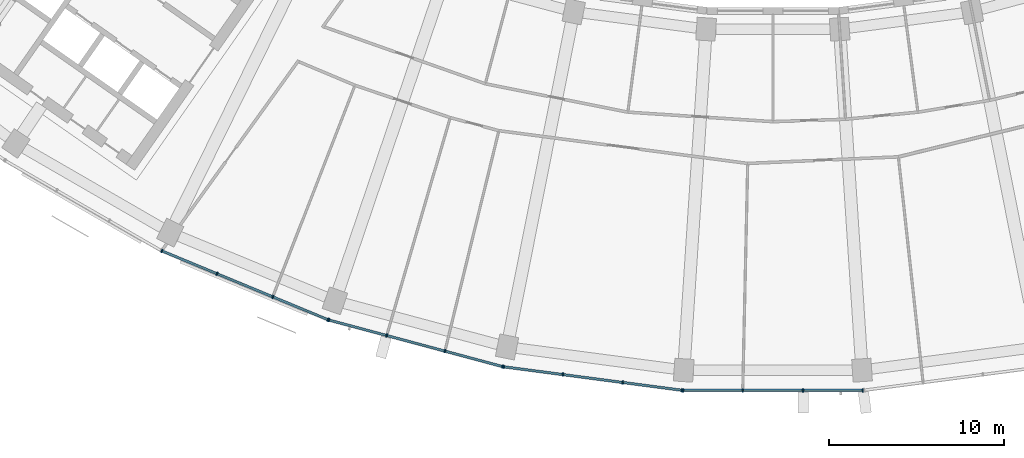
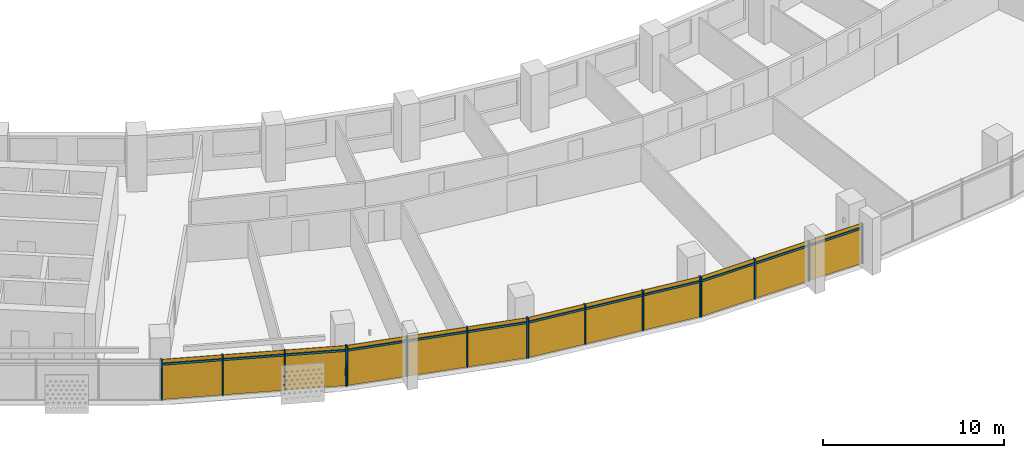
# One storey, part 20 of 26: 28 members, 4 curtain walls.
"""IFC4 building model written with IfcOpenShell, lengths in metres."""

from ifc_helpers import new_model, si_unit, direction, frame, origin, origin_2d, place, context, subcontext, project, spatial, rectangle, extrude, material, material_profile, profile_set, type_object, element, aggregate, save


model = new_model("IFC4")

# Units and contexts
model_context = context("Model", 3, precision=1e-05, world=origin(), true_north=direction((0.0, 1.0)))
body_context = subcontext(model_context, "Body", "Model", "MODEL_VIEW")
ifc_project = project(units=[si_unit("LENGTHUNIT", "METRE"), si_unit("AREAUNIT", "SQUARE_METRE"), si_unit("VOLUMEUNIT", "CUBIC_METRE"), si_unit("PLANEANGLEUNIT", "RADIAN"), si_unit("MASSUNIT", "GRAM", prefix="KILO")], contexts=[model_context])

# Member
ifc_material = material(Name="Aluminium 6063-T6 anodised", Category="aluminium")
ifc_material_profile_1 = material_profile(ifc_material, rectangle(XDim=0.199951171875, YDim=0.070068359375, at=origin_2d()))
ifc_profile_set_1 = profile_set([ifc_material_profile_1], Name="Aluminium 6063-T6 anodised")
member_type_1 = type_object("IfcMemberType", Name="Mullion 70 x 200 aluminium", PredefinedType="MULLION", material=ifc_profile_set_1)
site_placement = place(None, origin())
building_placement = place(site_placement, origin())
storey_placement = place(building_placement, frame((0.0, 0.0, 183.5)))
member_1_placement = place(storey_placement, frame((-34.8701171875, -70.77392578125, 0.0), z_axis=(0.0, 0.0, 1.0), x_axis=(0.382683432365, 0.923879532511, 0.0)))
member_1 = element("IfcMember", 1, at=member_1_placement, type_object=member_type_1, Name="e-cw1-L43-out04/M00", PredefinedType="MULLION", context=body_context, shape_type="SweptSolid", body=[
    extrude(rectangle(XDim=0.199951171875, YDim=0.070068359375, at=origin_2d()), origin(), (0.0, 0.0, 1.0), 2.699951171875),
])

member_2_placement = place(storey_placement, frame((-31.72021484375, -72.078857421875, 0.0), z_axis=(0.0, 0.0, 1.0), x_axis=(0.382683432365, 0.923879532511, 0.0)))
member_2 = element("IfcMember", 2, at=member_2_placement, type_object=member_type_1, Name="e-cw1-L43-out04/M01", PredefinedType="MULLION", context=body_context, shape_type="SweptSolid", body=[
    extrude(rectangle(XDim=0.199951171875, YDim=0.070068359375, at=origin_2d()), origin(), (0.0, 0.0, 1.0), 2.699951171875),
])

member_3_placement = place(storey_placement, frame((-28.537841796875, -73.39697265625, 0.0), z_axis=(0.0, 0.0, 1.0), x_axis=(0.382683432365, 0.923879532511, 0.0)))
member_3 = element("IfcMember", 3, at=member_3_placement, type_object=member_type_1, Name="e-cw1-L43-out04/M02", PredefinedType="MULLION", context=body_context, shape_type="SweptSolid", body=[
    extrude(rectangle(XDim=0.199951171875, YDim=0.070068359375, at=origin_2d()), origin(), (0.0, 0.0, 1.0), 2.699951171875),
])

member_4_placement = place(storey_placement, frame((-25.3876953125, -74.70166015625, 0.0), z_axis=(0.0, 0.0, 1.0), x_axis=(0.382683432365, 0.923879532511, 0.0)))
member_4 = element("IfcMember", 4, at=member_4_placement, type_object=member_type_1, Name="e-cw1-L43-out04/M03", PredefinedType="MULLION", context=body_context, shape_type="SweptSolid", body=[
    extrude(rectangle(XDim=0.199951171875, YDim=0.070068359375, at=origin_2d()), origin(), (0.0, 0.0, 1.0), 2.699951171875),
])

member_5_placement = place(storey_placement, frame((-25.333984375, -74.719970703125, 0.0), z_axis=(0.0, 0.0, 1.0), x_axis=(0.258819045103, 0.965925826289, 0.0)))
member_5 = element("IfcMember", 5, at=member_5_placement, type_object=member_type_1, Name="e-cw1-L43-out05/M00", PredefinedType="MULLION", context=body_context, shape_type="SweptSolid", body=[
    extrude(rectangle(XDim=0.199951171875, YDim=0.070068359375, at=origin_2d()), origin(), (0.0, 0.0, 1.0), 2.699951171875),
])

member_6_placement = place(storey_placement, frame((-22.04052734375, -75.602294921875, 0.0), z_axis=(0.0, 0.0, 1.0), x_axis=(0.258819045103, 0.965925826289, 0.0)))
member_6 = element("IfcMember", 6, at=member_6_placement, type_object=member_type_1, Name="e-cw1-L43-out05/M01", PredefinedType="MULLION", context=body_context, shape_type="SweptSolid", body=[
    extrude(rectangle(XDim=0.199951171875, YDim=0.070068359375, at=origin_2d()), origin(), (0.0, 0.0, 1.0), 2.699951171875),
])

member_7_placement = place(storey_placement, frame((-18.71337890625, -76.493896484375, 0.0), z_axis=(0.0, 0.0, 1.0), x_axis=(0.258819045103, 0.965925826289, 0.0)))
member_7 = element("IfcMember", 7, at=member_7_placement, type_object=member_type_1, Name="e-cw1-L43-out05/M02", PredefinedType="MULLION", context=body_context, shape_type="SweptSolid", body=[
    extrude(rectangle(XDim=0.199951171875, YDim=0.070068359375, at=origin_2d()), origin(), (0.0, 0.0, 1.0), 2.699951171875),
])

member_8_placement = place(storey_placement, frame((-15.420166015625, -77.37646484375, 0.0), z_axis=(0.0, 0.0, 1.0), x_axis=(0.258819045103, 0.965925826289, 0.0)))
member_8 = element("IfcMember", 8, at=member_8_placement, type_object=member_type_1, Name="e-cw1-L43-out05/M03", PredefinedType="MULLION", context=body_context, shape_type="SweptSolid", body=[
    extrude(rectangle(XDim=0.199951171875, YDim=0.070068359375, at=origin_2d()), origin(), (0.0, 0.0, 1.0), 2.699951171875),
])

member_9_placement = place(storey_placement, frame((-15.364501953125, -77.387451171875, 0.0), z_axis=(0.0, 0.0, 1.0), x_axis=(0.13052619222, 0.991444861374, 0.0)))
member_9 = element("IfcMember", 9, at=member_9_placement, type_object=member_type_1, Name="e-cw1-L43-out06/M00", PredefinedType="MULLION", context=body_context, shape_type="SweptSolid", body=[
    extrude(rectangle(XDim=0.199951171875, YDim=0.070068359375, at=origin_2d()), origin(), (0.0, 0.0, 1.0), 2.699951171875),
])

member_10_placement = place(storey_placement, frame((-11.98388671875, -77.83251953125, 0.0), z_axis=(0.0, 0.0, 1.0), x_axis=(0.13052619222, 0.991444861374, 0.0)))
member_10 = element("IfcMember", 10, at=member_10_placement, type_object=member_type_1, Name="e-cw1-L43-out06/M01", PredefinedType="MULLION", context=body_context, shape_type="SweptSolid", body=[
    extrude(rectangle(XDim=0.199951171875, YDim=0.070068359375, at=origin_2d()), origin(), (0.0, 0.0, 1.0), 2.699951171875),
])

member_11_placement = place(storey_placement, frame((-8.56884765625, -78.2822265625, 0.0), z_axis=(0.0, 0.0, 1.0), x_axis=(0.13052619222, 0.991444861374, 0.0)))
member_11 = element("IfcMember", 11, at=member_11_placement, type_object=member_type_1, Name="e-cw1-L43-out06/M02", PredefinedType="MULLION", context=body_context, shape_type="SweptSolid", body=[
    extrude(rectangle(XDim=0.199951171875, YDim=0.070068359375, at=origin_2d()), origin(), (0.0, 0.0, 1.0), 2.699951171875),
])

member_12_placement = place(storey_placement, frame((-5.1884765625, -78.72705078125, 0.0), z_axis=(0.0, 0.0, 1.0), x_axis=(0.13052619222, 0.991444861374, 0.0)))
member_12 = element("IfcMember", 12, at=member_12_placement, type_object=member_type_1, Name="e-cw1-L43-out06/M03", PredefinedType="MULLION", context=body_context, shape_type="SweptSolid", body=[
    extrude(rectangle(XDim=0.199951171875, YDim=0.070068359375, at=origin_2d()), origin(), (0.0, 0.0, 1.0), 2.699951171875),
])

member_13_placement = place(storey_placement, frame((-5.1318359375, -78.73095703125, 0.0), z_axis=(0.0, 0.0, 1.0), x_axis=(0.0, 1.0, 0.0)))
member_13 = element("IfcMember", 13, at=member_13_placement, type_object=member_type_1, Name="e-cw1-L43-out07/M00", PredefinedType="MULLION", context=body_context, shape_type="SweptSolid", body=[
    extrude(rectangle(XDim=0.199951171875, YDim=0.070068359375, at=origin_2d()), origin(), (0.0, 0.0, 1.0), 2.699951171875),
])

member_14_placement = place(storey_placement, frame((-1.72216796875, -78.73095703125, 0.0), z_axis=(0.0, 0.0, 1.0), x_axis=(0.0, 1.0, 0.0)))
member_14 = element("IfcMember", 14, at=member_14_placement, type_object=member_type_1, Name="e-cw1-L43-out07/M01", PredefinedType="MULLION", context=body_context, shape_type="SweptSolid", body=[
    extrude(rectangle(XDim=0.199951171875, YDim=0.070068359375, at=origin_2d()), origin(), (0.0, 0.0, 1.0), 2.699951171875),
])

member_15_placement = place(storey_placement, frame((1.72216796875, -78.73095703125, 0.0), z_axis=(0.0, 0.0, 1.0), x_axis=(0.0, 1.0, 0.0)))
member_15 = element("IfcMember", 15, at=member_15_placement, type_object=member_type_1, Name="e-cw1-L43-out07/M02", PredefinedType="MULLION", context=body_context, shape_type="SweptSolid", body=[
    extrude(rectangle(XDim=0.199951171875, YDim=0.070068359375, at=origin_2d()), origin(), (0.0, 0.0, 1.0), 2.699951171875),
])

member_16_placement = place(storey_placement, frame((5.1318359375, -78.73095703125, 0.0), z_axis=(0.0, 0.0, 1.0), x_axis=(0.0, 1.0, 0.0)))
member_16 = element("IfcMember", 16, at=member_16_placement, type_object=member_type_1, Name="e-cw1-L43-out07/M03", PredefinedType="MULLION", context=body_context, shape_type="SweptSolid", body=[
    extrude(rectangle(XDim=0.199951171875, YDim=0.070068359375, at=origin_2d()), origin(), (0.0, 0.0, 1.0), 2.699951171875),
])

ifc_material_profile_2 = material_profile(ifc_material, rectangle(XDim=0.139892578125, YDim=0.1201171875, at=origin_2d()))
ifc_profile_set_2 = profile_set([ifc_material_profile_2], Name="Aluminium 6063-T6 anodised")
member_type_2 = type_object("IfcMemberType", Name="Transom 120 x 140 aluminium", PredefinedType="USERDEFINED", material=ifc_profile_set_2)
member_17_placement = place(storey_placement, frame((-34.837890625, -70.787353515625, 2.39990234375), z_axis=(0.923875164544, -0.382693977401, 0.0), x_axis=(0.382693977401, 0.923875164544, 0.0)))
member_17 = element("IfcMember", 17, at=member_17_placement, type_object=member_type_2, Name="e-cw1-L43-out04/T00", ObjectType="TRANSOM", PredefinedType="USERDEFINED", context=body_context, shape_type="SweptSolid", body=[
    extrude(rectangle(XDim=0.139892578125, YDim=0.1201171875, at=origin_2d()), origin(), (0.0, 0.0, 1.0), 3.339599609375),
])

member_18_placement = place(storey_placement, frame((-31.687744140625, -72.092041015625, 2.39990234375), z_axis=(0.923866926753, -0.382713863941, 0.0), x_axis=(0.382713863941, 0.923866926753, 0.0)))
member_18 = element("IfcMember", 18, at=member_18_placement, type_object=member_type_2, Name="e-cw1-L43-out04/T01", ObjectType="TRANSOM", PredefinedType="USERDEFINED", context=body_context, shape_type="SweptSolid", body=[
    extrude(rectangle(XDim=0.139892578125, YDim=0.1201171875, at=origin_2d()), origin(), (0.0, 0.0, 1.0), 3.37451171875),
])

member_19_placement = place(storey_placement, frame((-28.50537109375, -73.410400390625, 2.39990234375), z_axis=(0.923890305385, -0.382657423311, 0.0), x_axis=(0.382657423311, 0.923890305385, 0.0)))
member_19 = element("IfcMember", 19, at=member_19_placement, type_object=member_type_2, Name="e-cw1-L43-out04/T02", ObjectType="TRANSOM", PredefinedType="USERDEFINED", context=body_context, shape_type="SweptSolid", body=[
    extrude(rectangle(XDim=0.139892578125, YDim=0.1201171875, at=origin_2d()), origin(), (0.0, 0.0, 1.0), 3.33935546875),
])

member_20_placement = place(storey_placement, frame((-25.30029296875, -74.72900390625, 2.39990234375), z_axis=(0.965933368091, -0.258790897074, 0.0), x_axis=(0.258790897074, 0.965933368091, 0.0)))
member_20 = element("IfcMember", 20, at=member_20_placement, type_object=member_type_2, Name="e-cw1-L43-out05/T00", ObjectType="TRANSOM", PredefinedType="USERDEFINED", context=body_context, shape_type="SweptSolid", body=[
    extrude(rectangle(XDim=0.139892578125, YDim=0.1201171875, at=origin_2d()), origin(), (0.0, 0.0, 1.0), 3.339599609375),
])

member_21_placement = place(storey_placement, frame((-22.0068359375, -75.611572265625, 2.39990234375), z_axis=(0.965932873966, -0.258792741381, 0.0), x_axis=(0.258792741381, 0.965932873966, 0.0)))
member_21 = element("IfcMember", 21, at=member_21_placement, type_object=member_type_2, Name="e-cw1-L43-out05/T01", ObjectType="TRANSOM", PredefinedType="USERDEFINED", context=body_context, shape_type="SweptSolid", body=[
    extrude(rectangle(XDim=0.139892578125, YDim=0.1201171875, at=origin_2d()), origin(), (0.0, 0.0, 1.0), 3.37451171875),
])

member_22_placement = place(storey_placement, frame((-18.6796875, -76.5029296875, 2.39990234375), z_axis=(0.96591509168, -0.258859103886, 0.0), x_axis=(0.258859103886, 0.96591509168, 0.0)))
member_22 = element("IfcMember", 22, at=member_22_placement, type_object=member_type_2, Name="e-cw1-L43-out05/T02", ObjectType="TRANSOM", PredefinedType="USERDEFINED", context=body_context, shape_type="SweptSolid", body=[
    extrude(rectangle(XDim=0.139892578125, YDim=0.1201171875, at=origin_2d()), origin(), (0.0, 0.0, 1.0), 3.339599609375),
])

member_23_placement = place(storey_placement, frame((-15.32958984375, -77.39208984375, 2.39990234375), z_axis=(0.991448073325, -0.130501792706, 0.0), x_axis=(0.130501792706, 0.991448073325, 0.0)))
member_23 = element("IfcMember", 23, at=member_23_placement, type_object=member_type_2, Name="e-cw1-L43-out06/T00", ObjectType="TRANSOM", PredefinedType="USERDEFINED", context=body_context, shape_type="SweptSolid", body=[
    extrude(rectangle(XDim=0.139892578125, YDim=0.1201171875, at=origin_2d()), origin(), (0.0, 0.0, 1.0), 3.33935546875),
])

member_24_placement = place(storey_placement, frame((-11.94921875, -77.837158203125, 2.39990234375), z_axis=(0.991446413845, -0.130514399487, 0.0), x_axis=(0.130514399487, 0.991446413845, 0.0)))
member_24 = element("IfcMember", 24, at=member_24_placement, type_object=member_type_2, Name="e-cw1-L43-out06/T01", ObjectType="TRANSOM", PredefinedType="USERDEFINED", context=body_context, shape_type="SweptSolid", body=[
    extrude(rectangle(XDim=0.139892578125, YDim=0.1201171875, at=origin_2d()), origin(), (0.0, 0.0, 1.0), 3.37451171875),
])

member_25_placement = place(storey_placement, frame((-8.5341796875, -78.28662109375, 2.39990234375), z_axis=(0.991439857731, -0.130564193033, 0.0), x_axis=(0.130564193033, 0.991439857731, 0.0)))
member_25 = element("IfcMember", 25, at=member_25_placement, type_object=member_type_2, Name="e-cw1-L43-out06/T02", ObjectType="TRANSOM", PredefinedType="USERDEFINED", context=body_context, shape_type="SweptSolid", body=[
    extrude(rectangle(XDim=0.139892578125, YDim=0.1201171875, at=origin_2d()), origin(), (0.0, 0.0, 1.0), 3.339599609375),
])

member_26_placement = place(storey_placement, frame((-5.096923828125, -78.73095703125, 2.39990234375), z_axis=(1.0, 0.0, 0.0), x_axis=(0.0, 1.0, 0.0)))
member_26 = element("IfcMember", 26, at=member_26_placement, type_object=member_type_2, Name="e-cw1-L43-out07/T00", ObjectType="TRANSOM", PredefinedType="USERDEFINED", context=body_context, shape_type="SweptSolid", body=[
    extrude(rectangle(XDim=0.139892578125, YDim=0.1201171875, at=origin_2d()), origin(), (0.0, 0.0, 1.0), 3.339599609375),
])

member_27_placement = place(storey_placement, frame((-1.687255859375, -78.73095703125, 2.39990234375), z_axis=(1.0, 0.0, 0.0), x_axis=(0.0, 1.0, 0.0)))
member_27 = element("IfcMember", 27, at=member_27_placement, type_object=member_type_2, Name="e-cw1-L43-out07/T01", ObjectType="TRANSOM", PredefinedType="USERDEFINED", context=body_context, shape_type="SweptSolid", body=[
    extrude(rectangle(XDim=0.139892578125, YDim=0.1201171875, at=origin_2d()), origin(), (0.0, 0.0, 1.0), 3.37451171875),
])

member_28_placement = place(storey_placement, frame((1.75732421875, -78.73095703125, 2.39990234375), z_axis=(1.0, 0.0, 0.0), x_axis=(0.0, 1.0, 0.0)))
member_28 = element("IfcMember", 28, at=member_28_placement, type_object=member_type_2, Name="e-cw1-L43-out07/T02", ObjectType="TRANSOM", PredefinedType="USERDEFINED", context=body_context, shape_type="SweptSolid", body=[
    extrude(rectangle(XDim=0.139892578125, YDim=0.1201171875, at=origin_2d()), origin(), (0.0, 0.0, 1.0), 3.339599609375),
])

# Site, building, storey
site = spatial("IfcSite", under=ifc_project, at=site_placement, CompositionType="ELEMENT")
building = spatial("IfcBuilding", under=site, at=building_placement, Name="Qamariyya Broadcast Tower", CompositionType="ELEMENT")
storey = spatial("IfcBuildingStorey", under=building, at=storey_placement, Name="L43", CompositionType="ELEMENT", Elevation=183.5)

# Curtain wall
curtain_wall_type = type_object("IfcCurtainWallType", Name="Unitised curtain wall, anodised aluminium", PredefinedType="NOTDEFINED", material=ifc_material)
curtain_wall_1_placement = place(storey_placement, origin())
curtain_wall_1 = element("IfcCurtainWall", 29, at=curtain_wall_1_placement, inside=storey, type_object=curtain_wall_type, Name="e-cw1-L43-out04", PredefinedType="NOTDEFINED", context=body_context, shape_type="SweptSolid", body=[
    extrude(rectangle(XDim=3.339599609375, YDim=0.031982421875, at=origin_2d()), frame((-33.295166015625, -71.42626953125, 0.0), x_axis=(0.923878040314, -0.382687034829, 0.0)), (0.0, 0.0, 1.0), 2.340087890625),
    extrude(rectangle(XDim=3.339599609375, YDim=0.031982421875, at=origin_2d()), frame((-33.295166015625, -71.42626953125, 2.4599609375), x_axis=(0.923878040314, -0.382687034829, 0.0)), (0.0, 0.0, 1.0), 0.239990234375),
    extrude(rectangle(XDim=3.37451171875, YDim=0.031982421875, at=origin_2d()), frame((-30.12890625, -72.73779296875, 0.0), x_axis=(0.923878040314, -0.382687034829, 0.0)), (0.0, 0.0, 1.0), 2.340087890625),
    extrude(rectangle(XDim=3.37451171875, YDim=0.031982421875, at=origin_2d()), frame((-30.12890625, -72.73779296875, 2.4599609375), x_axis=(0.923878040314, -0.382687034829, 0.0)), (0.0, 0.0, 1.0), 0.239990234375),
    extrude(rectangle(XDim=3.339599609375, YDim=0.031982421875, at=origin_2d()), frame((-26.962890625, -74.04931640625, 0.0), x_axis=(0.923878040314, -0.382687034829, 0.0)), (0.0, 0.0, 1.0), 2.340087890625),
    extrude(rectangle(XDim=3.339599609375, YDim=0.031982421875, at=origin_2d()), frame((-26.962890625, -74.04931640625, 2.4599609375), x_axis=(0.923878040314, -0.382687034829, 0.0)), (0.0, 0.0, 1.0), 0.239990234375),
])

aggregate(curtain_wall_1, [member_1, member_2, member_3, member_4, member_17, member_18, member_19])

curtain_wall_2_placement = place(storey_placement, origin())
curtain_wall_2 = element("IfcCurtainWall", 30, at=curtain_wall_2_placement, inside=storey, type_object=curtain_wall_type, Name="e-cw1-L43-out05", PredefinedType="NOTDEFINED", context=body_context, shape_type="SweptSolid", body=[
    extrude(rectangle(XDim=3.339599609375, YDim=0.031982421875, at=origin_2d()), frame((-23.6875, -75.1611328125, 0.0), x_axis=(0.965926433062, -0.258816780584, 0.0)), (0.0, 0.0, 1.0), 2.340087890625),
    extrude(rectangle(XDim=3.339599609375, YDim=0.031982421875, at=origin_2d()), frame((-23.6875, -75.1611328125, 2.4599609375), x_axis=(0.965926433062, -0.258816780584, 0.0)), (0.0, 0.0, 1.0), 0.239990234375),
    extrude(rectangle(XDim=3.37451171875, YDim=0.031982421875, at=origin_2d()), frame((-20.376953125, -76.04833984375, 0.0), x_axis=(0.965926433062, -0.258816780584, 0.0)), (0.0, 0.0, 1.0), 2.340087890625),
    extrude(rectangle(XDim=3.37451171875, YDim=0.031982421875, at=origin_2d()), frame((-20.376953125, -76.04833984375, 2.4599609375), x_axis=(0.965926433062, -0.258816780584, 0.0)), (0.0, 0.0, 1.0), 0.239990234375),
    extrude(rectangle(XDim=3.339599609375, YDim=0.031982421875, at=origin_2d()), frame((-17.066650390625, -76.935302734375, 0.0), x_axis=(0.965926433062, -0.258816780584, 0.0)), (0.0, 0.0, 1.0), 2.340087890625),
    extrude(rectangle(XDim=3.339599609375, YDim=0.031982421875, at=origin_2d()), frame((-17.066650390625, -76.935302734375, 2.4599609375), x_axis=(0.965926433062, -0.258816780584, 0.0)), (0.0, 0.0, 1.0), 0.239990234375),
])

aggregate(curtain_wall_2, [member_5, member_6, member_7, member_8, member_20, member_21, member_22])

curtain_wall_3_placement = place(storey_placement, origin())
curtain_wall_3 = element("IfcCurtainWall", 31, at=curtain_wall_3_placement, inside=storey, type_object=curtain_wall_type, Name="e-cw1-L43-out06", PredefinedType="NOTDEFINED", context=body_context, shape_type="SweptSolid", body=[
    extrude(rectangle(XDim=3.339599609375, YDim=0.031982421875, at=origin_2d()), frame((-13.67431640625, -77.60986328125, 0.0), x_axis=(0.991444240905, -0.130530905064, 0.0)), (0.0, 0.0, 1.0), 2.340087890625),
    extrude(rectangle(XDim=3.339599609375, YDim=0.031982421875, at=origin_2d()), frame((-13.67431640625, -77.60986328125, 2.4599609375), x_axis=(0.991444240905, -0.130530905064, 0.0)), (0.0, 0.0, 1.0), 0.239990234375),
    extrude(rectangle(XDim=3.37451171875, YDim=0.031982421875, at=origin_2d()), frame((-10.2763671875, -78.05712890625, 0.0), x_axis=(0.991444240905, -0.130530905064, 0.0)), (0.0, 0.0, 1.0), 2.340087890625),
    extrude(rectangle(XDim=3.37451171875, YDim=0.031982421875, at=origin_2d()), frame((-10.2763671875, -78.05712890625, 2.4599609375), x_axis=(0.991444240905, -0.130530905064, 0.0)), (0.0, 0.0, 1.0), 0.239990234375),
    extrude(rectangle(XDim=3.339599609375, YDim=0.031982421875, at=origin_2d()), frame((-6.878662109375, -78.504638671875, 0.0), x_axis=(0.991444240905, -0.130530905064, 0.0)), (0.0, 0.0, 1.0), 2.340087890625),
    extrude(rectangle(XDim=3.339599609375, YDim=0.031982421875, at=origin_2d()), frame((-6.878662109375, -78.504638671875, 2.4599609375), x_axis=(0.991444240905, -0.130530905064, 0.0)), (0.0, 0.0, 1.0), 0.239990234375),
])

aggregate(curtain_wall_3, [member_9, member_10, member_11, member_12, member_23, member_24, member_25])

curtain_wall_4_placement = place(storey_placement, origin())
curtain_wall_4 = element("IfcCurtainWall", 32, at=curtain_wall_4_placement, inside=storey, type_object=curtain_wall_type, Name="e-cw1-L43-out07", PredefinedType="NOTDEFINED", context=body_context, shape_type="SweptSolid", body=[
    extrude(rectangle(XDim=3.339599609375, YDim=0.031982421875, at=origin_2d()), frame((-3.427001953125, -78.73095703125, 0.0), x_axis=(1.0, 0.0, 0.0)), (0.0, 0.0, 1.0), 2.340087890625),
    extrude(rectangle(XDim=3.339599609375, YDim=0.031982421875, at=origin_2d()), frame((-3.427001953125, -78.73095703125, 2.4599609375), x_axis=(1.0, 0.0, 0.0)), (0.0, 0.0, 1.0), 0.239990234375),
    extrude(rectangle(XDim=3.37451171875, YDim=0.031982421875, at=origin_2d()), frame((0.0, -78.73095703125, 0.0), x_axis=(1.0, 0.0, 0.0)), (0.0, 0.0, 1.0), 2.340087890625),
    extrude(rectangle(XDim=3.37451171875, YDim=0.031982421875, at=origin_2d()), frame((0.0, -78.73095703125, 2.4599609375), x_axis=(1.0, 0.0, 0.0)), (0.0, 0.0, 1.0), 0.239990234375),
    extrude(rectangle(XDim=3.339599609375, YDim=0.031982421875, at=origin_2d()), frame((3.427001953125, -78.73095703125, 0.0), x_axis=(1.0, 0.0, 0.0)), (0.0, 0.0, 1.0), 2.340087890625),
    extrude(rectangle(XDim=3.339599609375, YDim=0.031982421875, at=origin_2d()), frame((3.427001953125, -78.73095703125, 2.4599609375), x_axis=(1.0, 0.0, 0.0)), (0.0, 0.0, 1.0), 0.239990234375),
])

aggregate(curtain_wall_4, [member_13, member_14, member_15, member_16, member_26, member_27, member_28])

save(model, "model.ifc")
